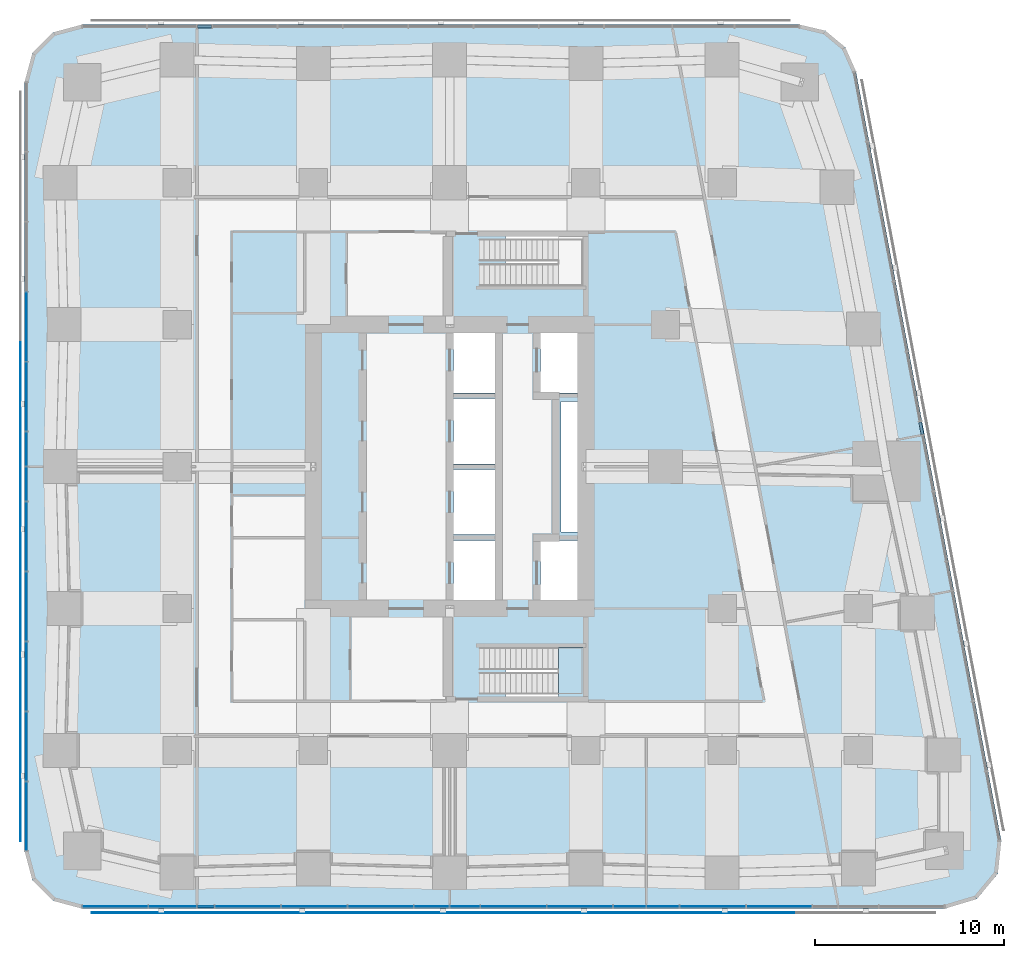
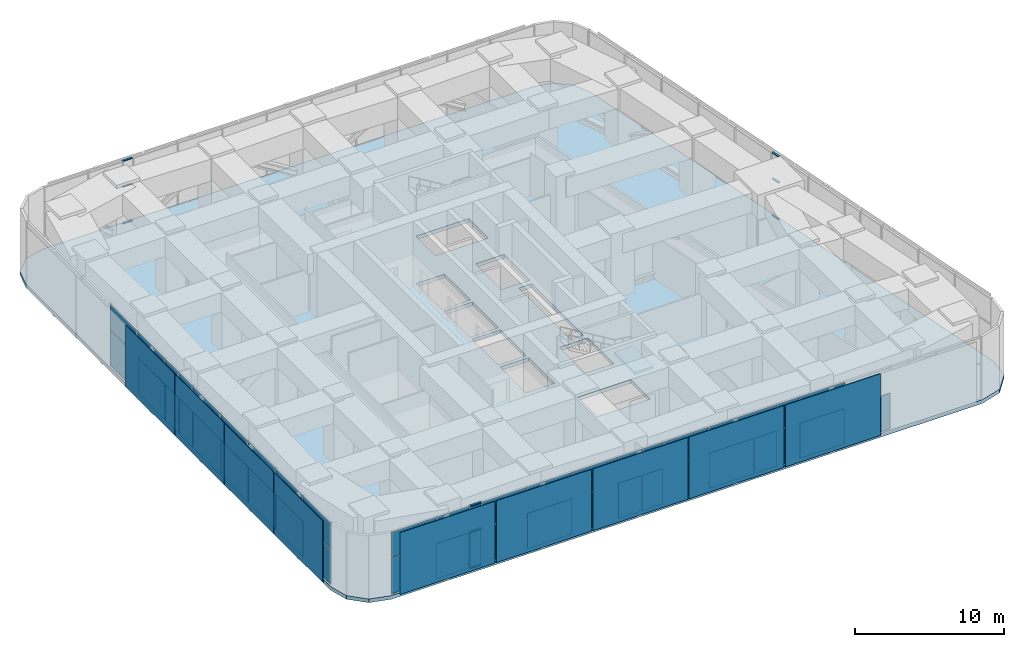
# One storey, part 9 of 17: 54 plates, 9 members, 2 slabs, 5 elements without a shape of their own.
"""IFC4 building model written with IfcOpenShell, lengths in metres."""

from ifc_helpers import new_model, si_unit, direction, frame, origin, origin_2d, place, context, subcontext, project, spatial, polyline, rectangle, outline, extrude, material, layer, layer_set, material_profile, profile_set, type_object, element, aggregate, save


model = new_model("IFC4")

# Units and contexts
model_context = context("Model", 3, precision=1e-05, world=origin(), true_north=direction((0.0, 1.0)))
body_context = subcontext(model_context, "Body", "Model", "MODEL_VIEW")
ifc_project = project(units=[si_unit("LENGTHUNIT", "METRE"), si_unit("AREAUNIT", "SQUARE_METRE"), si_unit("VOLUMEUNIT", "CUBIC_METRE"), si_unit("PLANEANGLEUNIT", "RADIAN"), si_unit("MASSUNIT", "GRAM", prefix="KILO")], contexts=[model_context])

# Site, building, storey
site_placement = place(None, origin())
site = spatial("IfcSite", under=ifc_project, at=site_placement, CompositionType="ELEMENT")
building_placement = place(site_placement, origin())
building = spatial("IfcBuilding", under=site, at=building_placement, Name="Sheger Commons Tower", CompositionType="ELEMENT")
storey_placement = place(building_placement, frame((0.0, 0.0, 188.300048828125)))
storey = spatial("IfcBuildingStorey", under=building, at=storey_placement, Name="L48", CompositionType="ELEMENT", Elevation=188.300048828125)

# Curtain wall, members
ifc_material_1 = material(Name="Black aluminium curtain wall, dark tinted glazing", Category="aluminium")
curtain_wall_type = type_object("IfcCurtainWallType", Name="CURTAIN WALL CW3 SKY FLOOR", PredefinedType="USERDEFINED", material=ifc_material_1)
curtain_wall_1_placement = place(storey_placement, origin())
curtain_wall_1 = element("IfcCurtainWall", 1, at=curtain_wall_1_placement, inside=storey, type_object=curtain_wall_type, Name="Curtain Wall Cw3 Sky Floor S1 L48", ObjectType="UNITISED CURTAIN WALL", PredefinedType="USERDEFINED")
ifc_material_2 = material(Name="Black anodised aluminium", Category="aluminium")
ifc_material_profile = material_profile(ifc_material_2, rectangle(XDim=0.14990234375, YDim=0.06494140625, at=origin_2d()), Name="AL 65x150")
ifc_profile_set = profile_set([ifc_material_profile], Name="Black anodised aluminium")
member_type = type_object("IfcMemberType", Name="TRANSOM AL 65x150", PredefinedType="USERDEFINED", material=ifc_profile_set)
member_1_placement = place(storey_placement, frame((8.282470703125, -0.75, 0.032470703125), z_axis=(1.0, 0.0, 0.0), x_axis=(0.0, 1.0, 0.0)))
member_1 = element("IfcMember", 2, at=member_1_placement, type_object=member_type, Name="CW3 transom 3.1", ObjectType="TRANSOM", PredefinedType="USERDEFINED", context=body_context, shape_type="SweptSolid", body=[
    extrude(rectangle(XDim=0.14990234375, YDim=0.06494140625, at=origin_2d()), origin(), (0.0, 0.0, 1.0), 0.867919921875),
])
member_2_placement = place(storey_placement, frame((8.282470703125, -0.75, 3.0), z_axis=(1.0, 0.0, 0.0), x_axis=(0.0, 1.0, 0.0)))
member_2 = element("IfcMember", 3, at=member_2_placement, type_object=member_type, Name="CW3 transom 3.2", ObjectType="TRANSOM", PredefinedType="USERDEFINED", context=body_context, shape_type="SweptSolid", body=[
    extrude(rectangle(XDim=0.14990234375, YDim=0.06494140625, at=origin_2d()), origin(), (0.0, 0.0, 1.0), 0.867919921875),
])
member_3_placement = place(storey_placement, frame((8.282470703125, -0.75, 5.117431640625), z_axis=(1.0, 0.0, 0.0), x_axis=(0.0, 1.0, 0.0)))
member_3 = element("IfcMember", 4, at=member_3_placement, type_object=member_type, Name="CW3 transom 3.3", ObjectType="TRANSOM", PredefinedType="USERDEFINED", context=body_context, shape_type="SweptSolid", body=[
    extrude(rectangle(XDim=0.14990234375, YDim=0.06494140625, at=origin_2d()), origin(), (0.0, 0.0, 1.0), 0.867919921875),
])

curtain_wall_2_placement = place(storey_placement, origin())
curtain_wall_2 = element("IfcCurtainWall", 5, at=curtain_wall_2_placement, inside=storey, type_object=curtain_wall_type, Name="Curtain Wall Cw3 Sky Floor E1 L48", ObjectType="UNITISED CURTAIN WALL", PredefinedType="USERDEFINED")
member_4_placement = place(storey_placement, frame((46.592041015625, 24.202392578125, 0.032470703125), z_axis=(-0.185882101551, 0.982572055537, 0.0), x_axis=(-0.982572055537, -0.185882101551, 0.0)))
member_4 = element("IfcMember", 6, at=member_4_placement, type_object=member_type, Name="CW3 transom 8.1", ObjectType="TRANSOM", PredefinedType="USERDEFINED", context=body_context, shape_type="SweptSolid", body=[
    extrude(rectangle(XDim=0.14990234375, YDim=0.06494140625, at=origin_2d()), origin(), (0.0, 0.0, 1.0), 0.666015625),
])
member_5_placement = place(storey_placement, frame((46.592041015625, 24.202392578125, 3.0), z_axis=(-0.185882101551, 0.982572055537, 0.0), x_axis=(-0.982572055537, -0.185882101551, 0.0)))
member_5 = element("IfcMember", 7, at=member_5_placement, type_object=member_type, Name="CW3 transom 8.2", ObjectType="TRANSOM", PredefinedType="USERDEFINED", context=body_context, shape_type="SweptSolid", body=[
    extrude(rectangle(XDim=0.14990234375, YDim=0.06494140625, at=origin_2d()), origin(), (0.0, 0.0, 1.0), 0.666015625),
])
member_6_placement = place(storey_placement, frame((46.592041015625, 24.202392578125, 5.117431640625), z_axis=(-0.185882101551, 0.982572055537, 0.0), x_axis=(-0.982572055537, -0.185882101551, 0.0)))
member_6 = element("IfcMember", 8, at=member_6_placement, type_object=member_type, Name="CW3 transom 8.3", ObjectType="TRANSOM", PredefinedType="USERDEFINED", context=body_context, shape_type="SweptSolid", body=[
    extrude(rectangle(XDim=0.14990234375, YDim=0.06494140625, at=origin_2d()), origin(), (0.0, 0.0, 1.0), 0.666015625),
])
aggregate(curtain_wall_2, [member_4, member_5, member_6])

curtain_wall_3_placement = place(storey_placement, origin())
curtain_wall_3 = element("IfcCurtainWall", 9, at=curtain_wall_3_placement, inside=storey, type_object=curtain_wall_type, Name="Curtain Wall Cw3 Sky Floor N1 L48", ObjectType="UNITISED CURTAIN WALL", PredefinedType="USERDEFINED")
member_7_placement = place(storey_placement, frame((9.029541015625, 45.75, 0.032470703125), z_axis=(-1.0, 0.0, 0.0), x_axis=(0.0, -1.0, 0.0)))
member_7 = element("IfcMember", 10, at=member_7_placement, type_object=member_type, Name="CW3 transom 10.1", ObjectType="TRANSOM", PredefinedType="USERDEFINED", context=body_context, shape_type="SweptSolid", body=[
    extrude(rectangle(XDim=0.14990234375, YDim=0.06494140625, at=origin_2d()), origin(), (0.0, 0.0, 1.0), 0.7470703125),
])
member_8_placement = place(storey_placement, frame((9.029541015625, 45.75, 3.0), z_axis=(-1.0, 0.0, 0.0), x_axis=(0.0, -1.0, 0.0)))
member_8 = element("IfcMember", 11, at=member_8_placement, type_object=member_type, Name="CW3 transom 10.2", ObjectType="TRANSOM", PredefinedType="USERDEFINED", context=body_context, shape_type="SweptSolid", body=[
    extrude(rectangle(XDim=0.14990234375, YDim=0.06494140625, at=origin_2d()), origin(), (0.0, 0.0, 1.0), 0.7470703125),
])
member_9_placement = place(storey_placement, frame((9.029541015625, 45.75, 5.117431640625), z_axis=(-1.0, 0.0, 0.0), x_axis=(0.0, -1.0, 0.0)))
member_9 = element("IfcMember", 12, at=member_9_placement, type_object=member_type, Name="CW3 transom 10.3", ObjectType="TRANSOM", PredefinedType="USERDEFINED", context=body_context, shape_type="SweptSolid", body=[
    extrude(rectangle(XDim=0.14990234375, YDim=0.06494140625, at=origin_2d()), origin(), (0.0, 0.0, 1.0), 0.7470703125),
])
aggregate(curtain_wall_3, [member_7, member_8, member_9])

# Plate
ifc_material_3 = material(Name="Dark tinted double glazing", Category="glass")
ifc_layer_1 = layer(ifc_material_3, 0.031982421875)
ifc_layer_set_1 = layer_set([ifc_layer_1], Name="GLAZED PANEL 32")
plate_type_1 = type_object("IfcPlateType", Name="GLAZED PANEL 32", PredefinedType="CURTAIN_PANEL", material=ifc_layer_set_1)
plate_1_placement = place(storey_placement, frame((3.934326171875, -0.75, 0.06494140625), z_axis=(0.0, 0.0, 1.0), x_axis=(1.0, 0.0, 0.0)))
plate_1 = element("IfcPlate", 13, at=plate_1_placement, type_object=plate_type_1, Name="CW3 panel 1.1", PredefinedType="CURTAIN_PANEL", context=body_context, shape_type="SweptSolid", body=[
    extrude(rectangle(XDim=3.41259765625, YDim=0.031982421875, at=origin_2d()), origin(), (0.0, 0.0, 1.0), 2.902587890625),
])

plate_2_placement = place(storey_placement, frame((3.934326171875, -0.75, 3.0322265625), z_axis=(0.0, 0.0, 1.0), x_axis=(1.0, 0.0, 0.0)))
plate_2 = element("IfcPlate", 14, at=plate_2_placement, type_object=plate_type_1, Name="CW3 panel 1.2", PredefinedType="CURTAIN_PANEL", context=body_context, shape_type="SweptSolid", body=[
    extrude(rectangle(XDim=3.41259765625, YDim=0.031982421875, at=origin_2d()), origin(), (0.0, 0.0, 1.0), 2.052490234375),
])

plate_3_placement = place(storey_placement, frame((6.96142578125, -0.75, 0.06494140625), z_axis=(0.0, 0.0, 1.0), x_axis=(1.0, 0.0, 0.0)))
plate_3 = element("IfcPlate", 15, at=plate_3_placement, type_object=plate_type_1, Name="CW3 panel 2.1", PredefinedType="CURTAIN_PANEL", context=body_context, shape_type="SweptSolid", body=[
    extrude(rectangle(XDim=2.511962890625, YDim=0.031982421875, at=origin_2d()), origin(), (0.0, 0.0, 1.0), 2.902587890625),
])

plate_4_placement = place(storey_placement, frame((6.96142578125, -0.75, 3.0322265625), z_axis=(0.0, 0.0, 1.0), x_axis=(1.0, 0.0, 0.0)))
plate_4 = element("IfcPlate", 16, at=plate_4_placement, type_object=plate_type_1, Name="CW3 panel 2.2", PredefinedType="CURTAIN_PANEL", context=body_context, shape_type="SweptSolid", body=[
    extrude(rectangle(XDim=2.511962890625, YDim=0.031982421875, at=origin_2d()), origin(), (0.0, 0.0, 1.0), 2.052490234375),
])

plate_5_placement = place(storey_placement, frame((8.716552734375, -0.75, 0.06494140625), z_axis=(0.0, 0.0, 1.0), x_axis=(1.0, 0.0, 0.0)))
plate_5 = element("IfcPlate", 17, at=plate_5_placement, type_object=plate_type_1, Name="CW3 panel 3.1", PredefinedType="CURTAIN_PANEL", context=body_context, shape_type="SweptSolid", body=[
    extrude(rectangle(XDim=0.867919921875, YDim=0.031982421875, at=origin_2d()), origin(), (0.0, 0.0, 1.0), 2.902587890625),
])

plate_6_placement = place(storey_placement, frame((8.716552734375, -0.75, 3.0322265625), z_axis=(0.0, 0.0, 1.0), x_axis=(1.0, 0.0, 0.0)))
plate_6 = element("IfcPlate", 18, at=plate_6_placement, type_object=plate_type_1, Name="CW3 panel 3.2", PredefinedType="CURTAIN_PANEL", context=body_context, shape_type="SweptSolid", body=[
    extrude(rectangle(XDim=0.867919921875, YDim=0.031982421875, at=origin_2d()), origin(), (0.0, 0.0, 1.0), 2.052490234375),
])

plate_7_placement = place(storey_placement, frame((10.93798828125, -0.75, 0.06494140625), z_axis=(0.0, 0.0, 1.0), x_axis=(1.0, 0.0, 0.0)))
plate_7 = element("IfcPlate", 19, at=plate_7_placement, type_object=plate_type_1, Name="CW3 panel 4.1", PredefinedType="CURTAIN_PANEL", context=body_context, shape_type="SweptSolid", body=[
    extrude(rectangle(XDim=3.445068359375, YDim=0.031982421875, at=origin_2d()), origin(), (0.0, 0.0, 1.0), 2.902587890625),
])

plate_8_placement = place(storey_placement, frame((10.93798828125, -0.75, 3.0322265625), z_axis=(0.0, 0.0, 1.0), x_axis=(1.0, 0.0, 0.0)))
plate_8 = element("IfcPlate", 20, at=plate_8_placement, type_object=plate_type_1, Name="CW3 panel 4.2", PredefinedType="CURTAIN_PANEL", context=body_context, shape_type="SweptSolid", body=[
    extrude(rectangle(XDim=3.445068359375, YDim=0.031982421875, at=origin_2d()), origin(), (0.0, 0.0, 1.0), 2.052490234375),
])

plate_9_placement = place(storey_placement, frame((14.447509765625, -0.75, 0.06494140625), z_axis=(0.0, 0.0, 1.0), x_axis=(1.0, 0.0, 0.0)))
plate_9 = element("IfcPlate", 21, at=plate_9_placement, type_object=plate_type_1, Name="CW3 panel 5.1", PredefinedType="CURTAIN_PANEL", context=body_context, shape_type="SweptSolid", body=[
    extrude(rectangle(XDim=3.444091796875, YDim=0.031982421875, at=origin_2d()), origin(), (0.0, 0.0, 1.0), 2.902587890625),
])

plate_10_placement = place(storey_placement, frame((14.447509765625, -0.75, 3.0322265625), z_axis=(0.0, 0.0, 1.0), x_axis=(1.0, 0.0, 0.0)))
plate_10 = element("IfcPlate", 22, at=plate_10_placement, type_object=plate_type_1, Name="CW3 panel 5.2", PredefinedType="CURTAIN_PANEL", context=body_context, shape_type="SweptSolid", body=[
    extrude(rectangle(XDim=3.444091796875, YDim=0.031982421875, at=origin_2d()), origin(), (0.0, 0.0, 1.0), 2.052490234375),
])

plate_11_placement = place(storey_placement, frame((17.95703125, -0.75, 0.06494140625), z_axis=(0.0, 0.0, 1.0), x_axis=(1.0, 0.0, 0.0)))
plate_11 = element("IfcPlate", 23, at=plate_11_placement, type_object=plate_type_1, Name="CW3 panel 6.1", PredefinedType="CURTAIN_PANEL", context=body_context, shape_type="SweptSolid", body=[
    extrude(rectangle(XDim=3.445068359375, YDim=0.031982421875, at=origin_2d()), origin(), (0.0, 0.0, 1.0), 2.902587890625),
])

plate_12_placement = place(storey_placement, frame((17.95703125, -0.75, 3.0322265625), z_axis=(0.0, 0.0, 1.0), x_axis=(1.0, 0.0, 0.0)))
plate_12 = element("IfcPlate", 24, at=plate_12_placement, type_object=plate_type_1, Name="CW3 panel 6.2", PredefinedType="CURTAIN_PANEL", context=body_context, shape_type="SweptSolid", body=[
    extrude(rectangle(XDim=3.445068359375, YDim=0.031982421875, at=origin_2d()), origin(), (0.0, 0.0, 1.0), 2.052490234375),
])

plate_13_placement = place(storey_placement, frame((20.656005859375, -0.75, 0.06494140625), z_axis=(0.0, 0.0, 1.0), x_axis=(1.0, 0.0, 0.0)))
plate_13 = element("IfcPlate", 25, at=plate_13_placement, type_object=plate_type_1, Name="CW3 panel 7.1", PredefinedType="CURTAIN_PANEL", context=body_context, shape_type="SweptSolid", body=[
    extrude(rectangle(XDim=1.822998046875, YDim=0.031982421875, at=origin_2d()), origin(), (0.0, 0.0, 1.0), 2.902587890625),
])

plate_14_placement = place(storey_placement, frame((20.656005859375, -0.75, 3.0322265625), z_axis=(0.0, 0.0, 1.0), x_axis=(1.0, 0.0, 0.0)))
plate_14 = element("IfcPlate", 26, at=plate_14_placement, type_object=plate_type_1, Name="CW3 panel 7.2", PredefinedType="CURTAIN_PANEL", context=body_context, shape_type="SweptSolid", body=[
    extrude(rectangle(XDim=1.822998046875, YDim=0.031982421875, at=origin_2d()), origin(), (0.0, 0.0, 1.0), 2.052490234375),
])

plate_15_placement = place(storey_placement, frame((22.410888671875, -0.75, 0.06494140625), z_axis=(0.0, 0.0, 1.0), x_axis=(1.0, 0.0, 0.0)))
plate_15 = element("IfcPlate", 27, at=plate_15_placement, type_object=plate_type_1, Name="CW3 panel 8.1", PredefinedType="CURTAIN_PANEL", context=body_context, shape_type="SweptSolid", body=[
    extrude(rectangle(XDim=1.556884765625, YDim=0.031982421875, at=origin_2d()), origin(), (0.0, 0.0, 1.0), 2.902587890625),
])

plate_16_placement = place(storey_placement, frame((22.410888671875, -0.75, 3.0322265625), z_axis=(0.0, 0.0, 1.0), x_axis=(1.0, 0.0, 0.0)))
plate_16 = element("IfcPlate", 28, at=plate_16_placement, type_object=plate_type_1, Name="CW3 panel 8.2", PredefinedType="CURTAIN_PANEL", context=body_context, shape_type="SweptSolid", body=[
    extrude(rectangle(XDim=1.556884765625, YDim=0.031982421875, at=origin_2d()), origin(), (0.0, 0.0, 1.0), 2.052490234375),
])

plate_17_placement = place(storey_placement, frame((24.97705078125, -0.75, 0.06494140625), z_axis=(0.0, 0.0, 1.0), x_axis=(1.0, 0.0, 0.0)))
plate_17 = element("IfcPlate", 29, at=plate_17_placement, type_object=plate_type_1, Name="CW3 panel 9.1", PredefinedType="CURTAIN_PANEL", context=body_context, shape_type="SweptSolid", body=[
    extrude(rectangle(XDim=3.445068359375, YDim=0.031982421875, at=origin_2d()), origin(), (0.0, 0.0, 1.0), 2.902587890625),
])

plate_18_placement = place(storey_placement, frame((24.97705078125, -0.75, 3.0322265625), z_axis=(0.0, 0.0, 1.0), x_axis=(1.0, 0.0, 0.0)))
plate_18 = element("IfcPlate", 30, at=plate_18_placement, type_object=plate_type_1, Name="CW3 panel 9.2", PredefinedType="CURTAIN_PANEL", context=body_context, shape_type="SweptSolid", body=[
    extrude(rectangle(XDim=3.445068359375, YDim=0.031982421875, at=origin_2d()), origin(), (0.0, 0.0, 1.0), 2.052490234375),
])

plate_19_placement = place(storey_placement, frame((28.487060546875, -0.75, 0.06494140625), z_axis=(0.0, 0.0, 1.0), x_axis=(1.0, 0.0, 0.0)))
plate_19 = element("IfcPlate", 31, at=plate_19_placement, type_object=plate_type_1, Name="CW3 panel 10.1", PredefinedType="CURTAIN_PANEL", context=body_context, shape_type="SweptSolid", body=[
    extrude(rectangle(XDim=3.445068359375, YDim=0.031982421875, at=origin_2d()), origin(), (0.0, 0.0, 1.0), 2.902587890625),
])

plate_20_placement = place(storey_placement, frame((28.487060546875, -0.75, 3.0322265625), z_axis=(0.0, 0.0, 1.0), x_axis=(1.0, 0.0, 0.0)))
plate_20 = element("IfcPlate", 32, at=plate_20_placement, type_object=plate_type_1, Name="CW3 panel 10.2", PredefinedType="CURTAIN_PANEL", context=body_context, shape_type="SweptSolid", body=[
    extrude(rectangle(XDim=3.445068359375, YDim=0.031982421875, at=origin_2d()), origin(), (0.0, 0.0, 1.0), 2.052490234375),
])

plate_21_placement = place(storey_placement, frame((31.12109375, -0.75, 0.06494140625), z_axis=(0.0, 0.0, 1.0), x_axis=(1.0, 0.0, 0.0)))
plate_21 = element("IfcPlate", 33, at=plate_21_placement, type_object=plate_type_1, Name="CW3 panel 11.1", PredefinedType="CURTAIN_PANEL", context=body_context, shape_type="SweptSolid", body=[
    extrude(rectangle(XDim=1.693115234375, YDim=0.031982421875, at=origin_2d()), origin(), (0.0, 0.0, 1.0), 2.902587890625),
])

plate_22_placement = place(storey_placement, frame((31.12109375, -0.75, 3.0322265625), z_axis=(0.0, 0.0, 1.0), x_axis=(1.0, 0.0, 0.0)))
plate_22 = element("IfcPlate", 34, at=plate_22_placement, type_object=plate_type_1, Name="CW3 panel 11.2", PredefinedType="CURTAIN_PANEL", context=body_context, shape_type="SweptSolid", body=[
    extrude(rectangle(XDim=1.693115234375, YDim=0.031982421875, at=origin_2d()), origin(), (0.0, 0.0, 1.0), 2.052490234375),
])

plate_23_placement = place(storey_placement, frame((32.8759765625, -0.75, 0.06494140625), z_axis=(0.0, 0.0, 1.0), x_axis=(1.0, 0.0, 0.0)))
plate_23 = element("IfcPlate", 35, at=plate_23_placement, type_object=plate_type_1, Name="CW3 panel 12.1", PredefinedType="CURTAIN_PANEL", context=body_context, shape_type="SweptSolid", body=[
    extrude(rectangle(XDim=1.68701171875, YDim=0.031982421875, at=origin_2d()), origin(), (0.0, 0.0, 1.0), 2.902587890625),
])

plate_24_placement = place(storey_placement, frame((32.8759765625, -0.75, 3.0322265625), z_axis=(0.0, 0.0, 1.0), x_axis=(1.0, 0.0, 0.0)))
plate_24 = element("IfcPlate", 36, at=plate_24_placement, type_object=plate_type_1, Name="CW3 panel 12.2", PredefinedType="CURTAIN_PANEL", context=body_context, shape_type="SweptSolid", body=[
    extrude(rectangle(XDim=1.68701171875, YDim=0.031982421875, at=origin_2d()), origin(), (0.0, 0.0, 1.0), 2.052490234375),
])

plate_25_placement = place(storey_placement, frame((35.506591796875, -0.75, 0.06494140625), z_axis=(0.0, 0.0, 1.0), x_axis=(1.0, 0.0, 0.0)))
plate_25 = element("IfcPlate", 37, at=plate_25_placement, type_object=plate_type_1, Name="CW3 panel 13.1", PredefinedType="CURTAIN_PANEL", context=body_context, shape_type="SweptSolid", body=[
    extrude(rectangle(XDim=3.444091796875, YDim=0.031982421875, at=origin_2d()), origin(), (0.0, 0.0, 1.0), 2.902587890625),
])

plate_26_placement = place(storey_placement, frame((35.506591796875, -0.75, 3.0322265625), z_axis=(0.0, 0.0, 1.0), x_axis=(1.0, 0.0, 0.0)))
plate_26 = element("IfcPlate", 38, at=plate_26_placement, type_object=plate_type_1, Name="CW3 panel 13.2", PredefinedType="CURTAIN_PANEL", context=body_context, shape_type="SweptSolid", body=[
    extrude(rectangle(XDim=3.444091796875, YDim=0.031982421875, at=origin_2d()), origin(), (0.0, 0.0, 1.0), 2.052490234375),
])

plate_27_placement = place(storey_placement, frame((39.01611328125, -0.75, 0.06494140625), z_axis=(0.0, 0.0, 1.0), x_axis=(1.0, 0.0, 0.0)))
plate_27 = element("IfcPlate", 39, at=plate_27_placement, type_object=plate_type_1, Name="CW3 panel 14.1", PredefinedType="CURTAIN_PANEL", context=body_context, shape_type="SweptSolid", body=[
    extrude(rectangle(XDim=3.445068359375, YDim=0.031982421875, at=origin_2d()), origin(), (0.0, 0.0, 1.0), 2.902587890625),
])

aggregate(curtain_wall_1, [plate_1, plate_2, plate_3, plate_4, member_1, member_2, member_3, plate_5, plate_6, plate_7, plate_8, plate_9, plate_10, plate_11, plate_12, plate_13, plate_14, plate_15, plate_16, plate_17, plate_18, plate_19, plate_20, plate_21, plate_22, plate_23, plate_24, plate_25, plate_26, plate_27])

# Curtain wall, plates
curtain_wall_4_placement = place(storey_placement, origin())
curtain_wall_4 = element("IfcCurtainWall", 40, at=curtain_wall_4_placement, inside=storey, type_object=curtain_wall_type, Name="Curtain Wall Cw3 Sky Floor W1 L48", ObjectType="UNITISED CURTAIN WALL", PredefinedType="USERDEFINED")
plate_28_placement = place(storey_placement, frame((-0.75, 29.89501953125, 0.06494140625), z_axis=(0.0, 0.0, 1.0), x_axis=(0.0, -1.0, 0.0)))
plate_28 = element("IfcPlate", 41, at=plate_28_placement, type_object=plate_type_1, Name="CW3 panel 4.1", PredefinedType="CURTAIN_PANEL", context=body_context, shape_type="SweptSolid", body=[
    extrude(rectangle(XDim=3.633056640625, YDim=0.031982421875, at=origin_2d()), origin(), (0.0, 0.0, 1.0), 2.902587890625),
])
plate_29_placement = place(storey_placement, frame((-0.75, 29.89501953125, 3.0322265625), z_axis=(0.0, 0.0, 1.0), x_axis=(0.0, -1.0, 0.0)))
plate_29 = element("IfcPlate", 42, at=plate_29_placement, type_object=plate_type_1, Name="CW3 panel 4.2", PredefinedType="CURTAIN_PANEL", context=body_context, shape_type="SweptSolid", body=[
    extrude(rectangle(XDim=3.633056640625, YDim=0.031982421875, at=origin_2d()), origin(), (0.0, 0.0, 1.0), 2.052490234375),
])
plate_30_placement = place(storey_placement, frame((-0.75, 26.197509765625, 0.06494140625), z_axis=(0.0, 0.0, 1.0), x_axis=(0.0, -1.0, 0.0)))
plate_30 = element("IfcPlate", 43, at=plate_30_placement, type_object=plate_type_1, Name="CW3 panel 5.1", PredefinedType="CURTAIN_PANEL", context=body_context, shape_type="SweptSolid", body=[
    extrude(rectangle(XDim=3.632080078125, YDim=0.031982421875, at=origin_2d()), origin(), (0.0, 0.0, 1.0), 2.902587890625),
])
plate_31_placement = place(storey_placement, frame((-0.75, 26.197509765625, 3.0322265625), z_axis=(0.0, 0.0, 1.0), x_axis=(0.0, -1.0, 0.0)))
plate_31 = element("IfcPlate", 44, at=plate_31_placement, type_object=plate_type_1, Name="CW3 panel 5.2", PredefinedType="CURTAIN_PANEL", context=body_context, shape_type="SweptSolid", body=[
    extrude(rectangle(XDim=3.632080078125, YDim=0.031982421875, at=origin_2d()), origin(), (0.0, 0.0, 1.0), 2.052490234375),
])
plate_32_placement = place(storey_placement, frame((-0.75, 23.424560546875, 0.06494140625), z_axis=(0.0, 0.0, 1.0), x_axis=(0.0, -1.0, 0.0)))
plate_32 = element("IfcPlate", 45, at=plate_32_placement, type_object=plate_type_1, Name="CW3 panel 6.1", PredefinedType="CURTAIN_PANEL", context=body_context, shape_type="SweptSolid", body=[
    extrude(rectangle(XDim=1.783935546875, YDim=0.031982421875, at=origin_2d()), origin(), (0.0, 0.0, 1.0), 2.902587890625),
])
plate_33_placement = place(storey_placement, frame((-0.75, 23.424560546875, 3.0322265625), z_axis=(0.0, 0.0, 1.0), x_axis=(0.0, -1.0, 0.0)))
plate_33 = element("IfcPlate", 46, at=plate_33_placement, type_object=plate_type_1, Name="CW3 panel 6.2", PredefinedType="CURTAIN_PANEL", context=body_context, shape_type="SweptSolid", body=[
    extrude(rectangle(XDim=1.783935546875, YDim=0.031982421875, at=origin_2d()), origin(), (0.0, 0.0, 1.0), 2.052490234375),
])
plate_34_placement = place(storey_placement, frame((-0.75, 21.575439453125, 0.06494140625), z_axis=(0.0, 0.0, 1.0), x_axis=(0.0, -1.0, 0.0)))
plate_34 = element("IfcPlate", 47, at=plate_34_placement, type_object=plate_type_1, Name="CW3 panel 7.1", PredefinedType="CURTAIN_PANEL", context=body_context, shape_type="SweptSolid", body=[
    extrude(rectangle(XDim=1.783935546875, YDim=0.031982421875, at=origin_2d()), origin(), (0.0, 0.0, 1.0), 2.902587890625),
])
plate_35_placement = place(storey_placement, frame((-0.75, 21.575439453125, 3.0322265625), z_axis=(0.0, 0.0, 1.0), x_axis=(0.0, -1.0, 0.0)))
plate_35 = element("IfcPlate", 48, at=plate_35_placement, type_object=plate_type_1, Name="CW3 panel 7.2", PredefinedType="CURTAIN_PANEL", context=body_context, shape_type="SweptSolid", body=[
    extrude(rectangle(XDim=1.783935546875, YDim=0.031982421875, at=origin_2d()), origin(), (0.0, 0.0, 1.0), 2.052490234375),
])
plate_36_placement = place(storey_placement, frame((-0.75, 18.802490234375, 0.06494140625), z_axis=(0.0, 0.0, 1.0), x_axis=(0.0, -1.0, 0.0)))
plate_36 = element("IfcPlate", 49, at=plate_36_placement, type_object=plate_type_1, Name="CW3 panel 8.1", PredefinedType="CURTAIN_PANEL", context=body_context, shape_type="SweptSolid", body=[
    extrude(rectangle(XDim=3.632080078125, YDim=0.031982421875, at=origin_2d()), origin(), (0.0, 0.0, 1.0), 2.902587890625),
])
plate_37_placement = place(storey_placement, frame((-0.75, 18.802490234375, 3.0322265625), z_axis=(0.0, 0.0, 1.0), x_axis=(0.0, -1.0, 0.0)))
plate_37 = element("IfcPlate", 50, at=plate_37_placement, type_object=plate_type_1, Name="CW3 panel 8.2", PredefinedType="CURTAIN_PANEL", context=body_context, shape_type="SweptSolid", body=[
    extrude(rectangle(XDim=3.632080078125, YDim=0.031982421875, at=origin_2d()), origin(), (0.0, 0.0, 1.0), 2.052490234375),
])
plate_38_placement = place(storey_placement, frame((-0.75, 15.10498046875, 0.06494140625), z_axis=(0.0, 0.0, 1.0), x_axis=(0.0, -1.0, 0.0)))
plate_38 = element("IfcPlate", 51, at=plate_38_placement, type_object=plate_type_1, Name="CW3 panel 9.1", PredefinedType="CURTAIN_PANEL", context=body_context, shape_type="SweptSolid", body=[
    extrude(rectangle(XDim=3.633056640625, YDim=0.031982421875, at=origin_2d()), origin(), (0.0, 0.0, 1.0), 2.902587890625),
])
plate_39_placement = place(storey_placement, frame((-0.75, 15.10498046875, 3.0322265625), z_axis=(0.0, 0.0, 1.0), x_axis=(0.0, -1.0, 0.0)))
plate_39 = element("IfcPlate", 52, at=plate_39_placement, type_object=plate_type_1, Name="CW3 panel 9.2", PredefinedType="CURTAIN_PANEL", context=body_context, shape_type="SweptSolid", body=[
    extrude(rectangle(XDim=3.633056640625, YDim=0.031982421875, at=origin_2d()), origin(), (0.0, 0.0, 1.0), 2.052490234375),
])
plate_40_placement = place(storey_placement, frame((-0.75, 11.406982421875, 0.06494140625), z_axis=(0.0, 0.0, 1.0), x_axis=(0.0, -1.0, 0.0)))
plate_40 = element("IfcPlate", 53, at=plate_40_placement, type_object=plate_type_1, Name="CW3 panel 10.1", PredefinedType="CURTAIN_PANEL", context=body_context, shape_type="SweptSolid", body=[
    extrude(rectangle(XDim=3.633056640625, YDim=0.031982421875, at=origin_2d()), origin(), (0.0, 0.0, 1.0), 2.902587890625),
])
plate_41_placement = place(storey_placement, frame((-0.75, 11.406982421875, 3.0322265625), z_axis=(0.0, 0.0, 1.0), x_axis=(0.0, -1.0, 0.0)))
plate_41 = element("IfcPlate", 54, at=plate_41_placement, type_object=plate_type_1, Name="CW3 panel 10.2", PredefinedType="CURTAIN_PANEL", context=body_context, shape_type="SweptSolid", body=[
    extrude(rectangle(XDim=3.633056640625, YDim=0.031982421875, at=origin_2d()), origin(), (0.0, 0.0, 1.0), 2.052490234375),
])
plate_42_placement = place(storey_placement, frame((-0.75, 7.70947265625, 0.06494140625), z_axis=(0.0, 0.0, 1.0), x_axis=(0.0, -1.0, 0.0)))
plate_42 = element("IfcPlate", 55, at=plate_42_placement, type_object=plate_type_1, Name="CW3 panel 11.1", PredefinedType="CURTAIN_PANEL", context=body_context, shape_type="SweptSolid", body=[
    extrude(rectangle(XDim=3.632080078125, YDim=0.031982421875, at=origin_2d()), origin(), (0.0, 0.0, 1.0), 2.902587890625),
])
plate_43_placement = place(storey_placement, frame((-0.75, 7.70947265625, 3.0322265625), z_axis=(0.0, 0.0, 1.0), x_axis=(0.0, -1.0, 0.0)))
plate_43 = element("IfcPlate", 56, at=plate_43_placement, type_object=plate_type_1, Name="CW3 panel 11.2", PredefinedType="CURTAIN_PANEL", context=body_context, shape_type="SweptSolid", body=[
    extrude(rectangle(XDim=3.632080078125, YDim=0.031982421875, at=origin_2d()), origin(), (0.0, 0.0, 1.0), 2.052490234375),
])
plate_44_placement = place(storey_placement, frame((-0.75, 4.0283203125, 0.06494140625), z_axis=(0.0, 0.0, 1.0), x_axis=(0.0, -1.0, 0.0)))
plate_44 = element("IfcPlate", 57, at=plate_44_placement, type_object=plate_type_1, Name="CW3 panel 12.1", PredefinedType="CURTAIN_PANEL", context=body_context, shape_type="SweptSolid", body=[
    extrude(rectangle(XDim=3.6005859375, YDim=0.031982421875, at=origin_2d()), origin(), (0.0, 0.0, 1.0), 2.902587890625),
])
plate_45_placement = place(storey_placement, frame((-0.75, 4.0283203125, 3.0322265625), z_axis=(0.0, 0.0, 1.0), x_axis=(0.0, -1.0, 0.0)))
plate_45 = element("IfcPlate", 58, at=plate_45_placement, type_object=plate_type_1, Name="CW3 panel 12.2", PredefinedType="CURTAIN_PANEL", context=body_context, shape_type="SweptSolid", body=[
    extrude(rectangle(XDim=3.6005859375, YDim=0.031982421875, at=origin_2d()), origin(), (0.0, 0.0, 1.0), 2.052490234375),
])
aggregate(curtain_wall_4, [plate_28, plate_29, plate_30, plate_31, plate_32, plate_33, plate_34, plate_35, plate_36, plate_37, plate_38, plate_39, plate_40, plate_41, plate_42, plate_43, plate_44, plate_45])

# Slab
ifc_material_4 = material(Name="Concrete C35/45", Category="concrete")
ifc_layer_2 = layer(ifc_material_4, 0.300048828125)
ifc_layer_set_2 = layer_set([ifc_layer_2], Name="SLAB FLOOR 300")
slab_type_1 = type_object("IfcSlabType", Name="SLAB FLOOR 300", PredefinedType="FLOOR", material=ifc_layer_set_2)
slab_1_placement = place(storey_placement, frame((0.0, 0.0, -0.300048828125)))
element("IfcSlab", 59, at=slab_1_placement, inside=storey, type_object=slab_type_1, Name="L48 floor slab", PredefinedType="FLOOR", context=body_context, shape_type="SweptSolid", body=[
    extrude(outline(polyline([(-0.85009765625, 2.14990234375), (-0.447998046875, 0.64990234375), (0.64990234375, -0.447998046875), (2.14990234375, -0.85009765625), (47.805908203125, -0.85009765625), (49.465087890625, -0.35009765625), (50.570068359375, 0.98388671875), (50.75390625, 2.70703125), (43.06591796875, 43.406982421875), (42.509033203125, 44.660888671875), (41.452880859375, 45.535888671875), (40.117919921875, 45.85009765625), (2.14990234375, 45.85009765625), (0.64990234375, 45.447998046875), (-0.447998046875, 44.35009765625), (-0.85009765625, 42.85009765625), (-0.85009765625, 2.14990234375)]), holes=[polyline([(24.550048828125, 10.35009765625), (28.64990234375, 10.35009765625), (28.64990234375, 12.949951171875), (24.551025390625, 12.949951171875), (24.551025390625, 11.75), (24.550048828125, 11.75), (24.550048828125, 10.35009765625)]), polyline([(24.551025390625, 32.050048828125), (28.64990234375, 32.050048828125), (28.64990234375, 34.64990234375), (24.550048828125, 34.64990234375), (24.550048828125, 33.25), (24.551025390625, 33.25), (24.551025390625, 32.050048828125)]), polyline([(26.39990234375, 15.14990234375), (28.60009765625, 15.14990234375), (28.60009765625, 18.60009765625), (26.39990234375, 18.60009765625), (26.39990234375, 15.14990234375)]), polyline([(26.39990234375, 26.39990234375), (28.60009765625, 26.39990234375), (28.60009765625, 29.85009765625), (26.39990234375, 29.85009765625), (26.39990234375, 26.39990234375)]), polyline([(21.800048828125, 15.14990234375), (24.0, 15.14990234375), (24.0, 18.60009765625), (21.800048828125, 18.60009765625), (21.800048828125, 15.14990234375)]), polyline([(21.800048828125, 18.89990234375), (24.0, 18.89990234375), (24.0, 22.35009765625), (21.800048828125, 22.35009765625), (21.800048828125, 18.89990234375)]), polyline([(21.800048828125, 22.64990234375), (24.0, 22.64990234375), (24.0, 26.10009765625), (21.800048828125, 26.10009765625), (21.800048828125, 22.64990234375)]), polyline([(21.800048828125, 26.39990234375), (24.0, 26.39990234375), (24.0, 29.85009765625), (21.800048828125, 29.85009765625), (21.800048828125, 26.39990234375)]), polyline([(27.5, 19.050048828125), (28.5, 19.050048828125), (28.5, 25.949951171875), (27.5, 25.949951171875), (27.5, 19.050048828125)])]), origin(), (0.0, 0.0, 1.0), 0.300048828125),
])

# Plates
ifc_material_5 = material(Name="Perforated black anodised aluminium screen", Category="aluminium")
ifc_layer_3 = layer(ifc_material_5, 0.050048828125)
ifc_layer_set_3 = layer_set([ifc_layer_3], Name="SOLAR SCREEN SCREEN-1")
plate_type_2 = type_object("IfcPlateType", Name="SOLAR SCREEN SCREEN-1", PredefinedType="USERDEFINED", material=ifc_layer_set_3)
for number, where, z_axis, x_axis, name in (
    (60, (6.37109375, -1.074951171875, 0.0498046875), (0.0, 0.0, 1.0), (1.0, 0.0, 0.0), "Perforated solar screen panel"),
    (61, (13.81396484375, -1.074951171875, 0.0498046875), (0.0, 0.0, 1.0), (1.0, 0.0, 0.0), "Perforated solar screen panel"),
    (62, (21.257080078125, -1.074951171875, 0.0498046875), (0.0, 0.0, 1.0), (1.0, 0.0, 0.0), "Perforated solar screen panel"),
    (63, (28.698974609375, -1.074951171875, 0.0498046875), (0.0, 0.0, 1.0), (1.0, 0.0, 0.0), "Perforated solar screen panel"),
    (64, (36.14208984375, -1.074951171875, 0.0498046875), (0.0, 0.0, 1.0), (1.0, 0.0, 0.0), "Perforated solar screen panel"),
):
    element("IfcPlate", number, at=place(storey_placement, frame(where, z_axis=z_axis, x_axis=x_axis)), inside=storey, type_object=plate_type_2, Name=name, ObjectType="SCREEN", PredefinedType="USERDEFINED", context=body_context, shape_type="SweptSolid", body=[
        extrude(rectangle(XDim=7.343017578125, YDim=0.050048828125, at=origin_2d()), origin(), (0.0, 0.0, 1.0), 5.050048828125),
    ])
for number, where, z_axis, x_axis, name in (
    (65, (-1.074951171875, 25.80810546875, 0.0498046875), (0.0, 0.0, 1.0), (0.0, -1.0, 0.0), "Perforated solar screen panel"),
    (66, (-1.074951171875, 19.19189453125, 0.0498046875), (0.0, 0.0, 1.0), (0.0, -1.0, 0.0), "Perforated solar screen panel"),
    (67, (-1.074951171875, 12.574951171875, 0.0498046875), (0.0, 0.0, 1.0), (0.0, -1.0, 0.0), "Perforated solar screen panel"),
    (68, (-1.074951171875, 5.9580078125, 0.0498046875), (0.0, 0.0, 1.0), (0.0, -1.0, 0.0), "Perforated solar screen panel"),
):
    element("IfcPlate", number, at=place(storey_placement, frame(where, z_axis=z_axis, x_axis=x_axis)), inside=storey, type_object=plate_type_2, Name=name, ObjectType="SCREEN", PredefinedType="USERDEFINED", context=body_context, shape_type="SweptSolid", body=[
        extrude(rectangle(XDim=6.51708984375, YDim=0.050048828125, at=origin_2d()), origin(), (0.0, 0.0, 1.0), 5.050048828125),
    ])

# Stair, slab
ifc_material_6 = material(Name="Concrete C35/45", Category="concrete")
stair_type = type_object("IfcStairType", Name="HALF-TURN STAIR 1200 RISE 5400", PredefinedType="HALF_TURN_STAIR", material=ifc_material_6)
stair_placement = place(storey_placement, origin())
stair = element("IfcStair", 69, at=stair_placement, inside=storey, type_object=stair_type, Name="Stair S1 L48", PredefinedType="HALF_TURN_STAIR")
ifc_material_7 = material(Name="Concrete C35/45", Category="concrete")
ifc_layer_4 = layer(ifc_material_7, 0.199951171875)
ifc_layer_set_4 = layer_set([ifc_layer_4], Name="STAIR LANDING 200")
slab_type_2 = type_object("IfcSlabType", Name="STAIR LANDING 200", PredefinedType="LANDING", material=ifc_layer_set_4)
slab_2_placement = place(storey_placement, frame((0.0, 0.0, 2.5)))
slab_2 = element("IfcSlab", 70, at=slab_2_placement, type_object=slab_type_2, Name="S1 landing 1", PredefinedType="LANDING", context=body_context, shape_type="SweptSolid", body=[
    extrude(outline(polyline([(27.35009765625, 10.199951171875), (28.800048828125, 10.199951171875), (28.800048828125, 12.949951171875), (27.35009765625, 12.949951171875), (27.35009765625, 10.199951171875)])), origin(), (0.0, 0.0, 1.0), 0.199951171875),
])
aggregate(stair, [slab_2])

save(model, "model.ifc")
